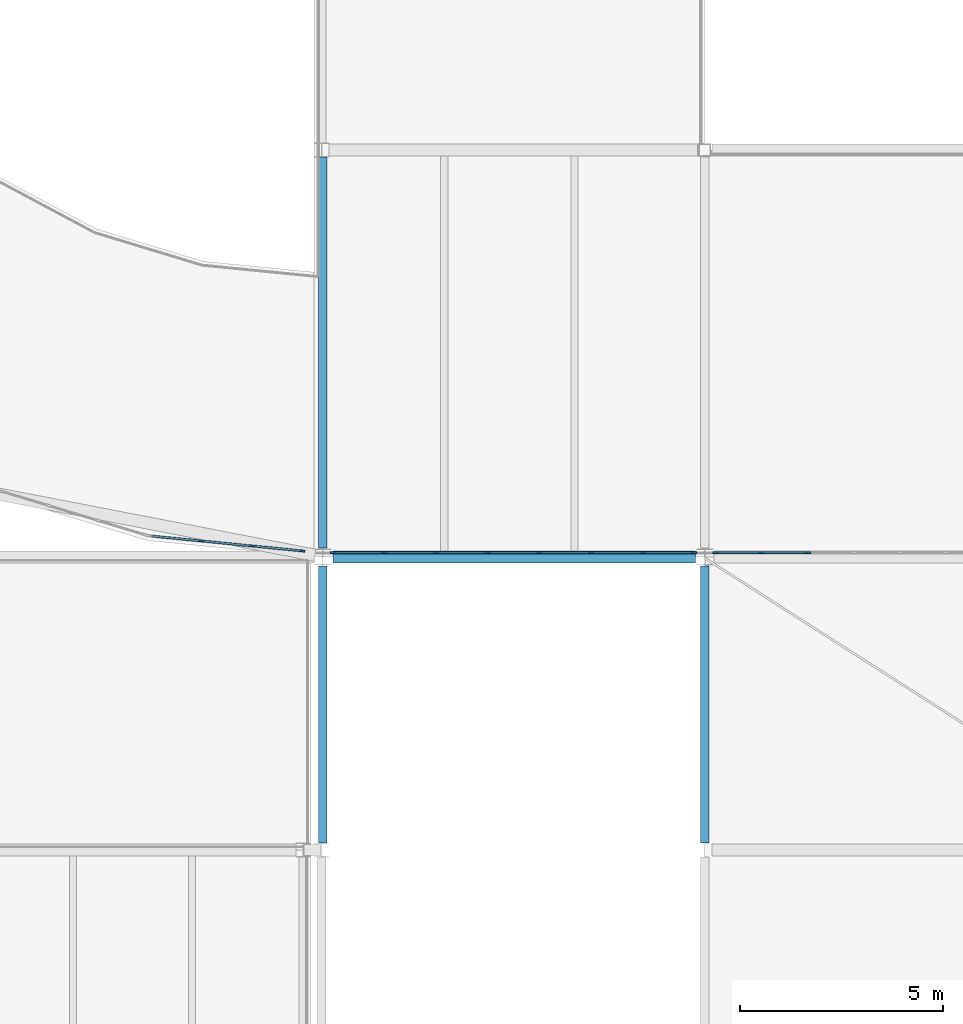
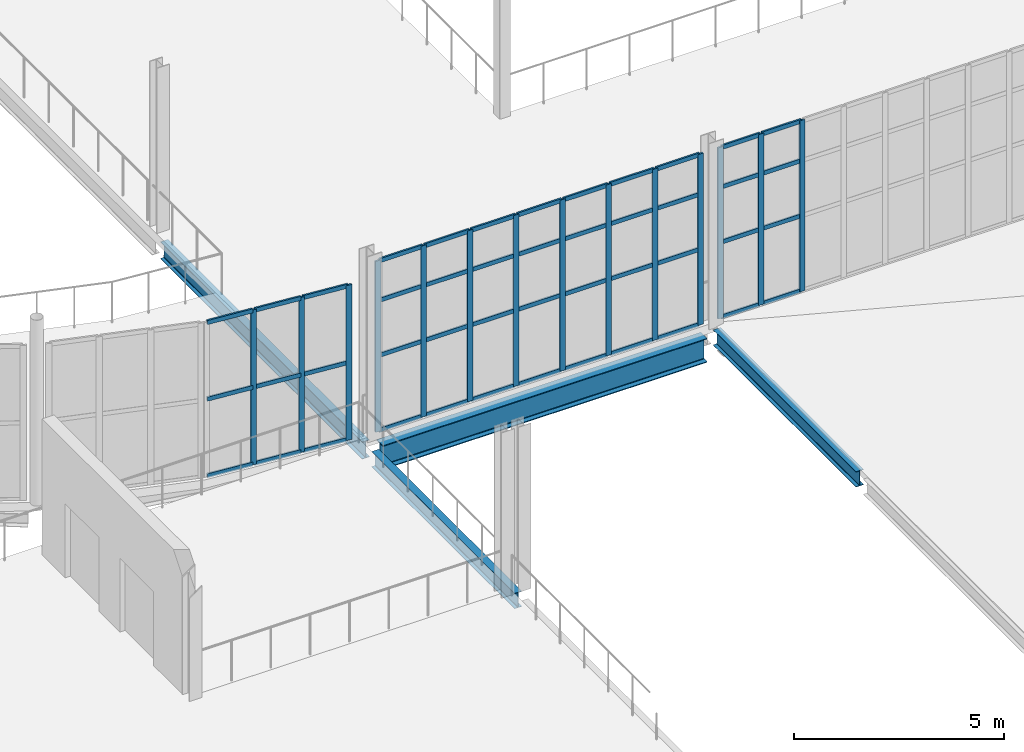
# One storey, part 28 of 112: 59 members, 4 beams, 3 elements without a shape of their own.
"""IFC4 building model written with IfcOpenShell, lengths in metres."""

from ifc_helpers import new_model, si_unit, direction, frame, origin, origin_2d, place, context, subcontext, project, spatial, rectangle, i_section, extrude, material, layer, layer_set, material_profile, profile_set, type_object, element, aggregate, save


model = new_model("IFC4")

# Units and contexts
model_context = context("Model", 3, precision=1e-05, world=origin(), true_north=direction((0.0, 1.0)))
body_context = subcontext(model_context, "Body", "Model", "MODEL_VIEW")
ifc_project = project(units=[si_unit("LENGTHUNIT", "METRE"), si_unit("AREAUNIT", "SQUARE_METRE"), si_unit("VOLUMEUNIT", "CUBIC_METRE"), si_unit("PLANEANGLEUNIT", "RADIAN"), si_unit("MASSUNIT", "GRAM", prefix="KILO")], contexts=[model_context])

# Site, building, storey
site_placement = place(None, origin())
site = spatial("IfcSite", under=ifc_project, at=site_placement, CompositionType="ELEMENT")
building_placement = place(site_placement, origin())
building = spatial("IfcBuilding", under=site, at=building_placement, Name="Yeouljin Market Hall", CompositionType="ELEMENT")
storey_placement = place(building_placement, frame((0.0, 0.0, 6.0)))
storey = spatial("IfcBuildingStorey", under=building, at=storey_placement, Name="L01", CompositionType="ELEMENT", Elevation=6.0)

# Beams
ifc_material_1 = material(Name="Steel SM355", Category="steel")
ifc_material_profile_1 = material_profile(ifc_material_1, i_section(OverallWidth=0.199951171875, OverallDepth=0.449951171875, WebThickness=0.009033203125, FlangeThickness=0.013916015625, FilletRadius=0.01806640625, at=origin_2d()), Name="H-450x200x9x14")
ifc_profile_set_1 = profile_set([ifc_material_profile_1], Name="Steel SM355")
beam_type_1 = type_object("IfcBeamType", Name="Beam_H-450x200x9x14", PredefinedType="BEAM", material=ifc_profile_set_1)
for number, where, z_axis, x_axis, name in (
    (1, (35.614990234375, 28.97509765625, -0.4951171875), (0.0, 1.0, 0.0), (-1.0, 0.0, 0.0), "Primary beam BM-L01-Y150"),
    (2, (45.0, 28.97509765625, -0.2451171875), (0.0, 1.0, 0.0), (-1.0, 0.0, 0.0), "Boulevard forecourt canopy beam BM-V5FC-Y03"),
):
    element("IfcBeam", number, at=place(storey_placement, frame(where, z_axis=z_axis, x_axis=x_axis)), inside=storey, type_object=beam_type_1, Name=name, PredefinedType="BEAM", context=body_context, shape_type="SweptSolid", body=[
        extrude(i_section(OverallWidth=0.199951171875, OverallDepth=0.449951171875, WebThickness=0.009033203125, FlangeThickness=0.013916015625, FilletRadius=0.01806640625, at=origin_2d()), origin(), (0.0, 0.0, 1.0), 6.7998046875),
    ])
ifc_material_2 = material(Name="Steel SM355", Category="steel")
ifc_material_profile_2 = material_profile(ifc_material_2, i_section(OverallWidth=0.199951171875, OverallDepth=0.5, WebThickness=0.010009765625, FlangeThickness=0.01611328125, FilletRadius=0.02001953125, at=origin_2d()), Name="H-500x200x10x16")
ifc_profile_set_2 = profile_set([ifc_material_profile_2], Name="Steel SM355")
beam_type_2 = type_object("IfcBeamType", Name="Beam_H-500x200x10x16", PredefinedType="BEAM", material=ifc_profile_set_2)
beam_1_placement = place(storey_placement, frame((35.614990234375, 36.22509765625, -0.52001953125), z_axis=(0.0, 1.0, 0.0), x_axis=(-1.0, 0.0, 0.0)))
element("IfcBeam", 3, at=beam_1_placement, inside=storey, type_object=beam_type_2, Name="Primary beam BM-L01-Y151", PredefinedType="BEAM", context=body_context, shape_type="SweptSolid", body=[
    extrude(i_section(OverallWidth=0.199951171875, OverallDepth=0.5, WebThickness=0.010009765625, FlangeThickness=0.01611328125, FilletRadius=0.02001953125, at=origin_2d()), origin(), (0.0, 0.0, 1.0), 9.599853515625),
])

# Curtain wall, members
ifc_material_3 = material(Name="Thermally Broken Aluminium", Category="aluminium")
ifc_layer_1 = layer(ifc_material_3, 0.159912109375)
ifc_layer_set_1 = layer_set([ifc_layer_1], Name="Thermally Broken Aluminium")
curtain_wall_type_1 = type_object("IfcCurtainWallType", Name="CW_HallClerestory_System", PredefinedType="USERDEFINED", material=ifc_layer_set_1)
curtain_wall_1_placement = place(storey_placement, origin())
curtain_wall_1 = element("IfcCurtainWall", 4, at=curtain_wall_1_placement, inside=storey, type_object=curtain_wall_type_1, Name="Curtain wall CW-V1S-L01-01", ObjectType="CURTAIN WALL", PredefinedType="USERDEFINED")
ifc_material_4 = material(Name="Thermally Broken Aluminium", Category="aluminium")
ifc_material_profile_3 = material_profile(ifc_material_4, rectangle(XDim=0.048095703125, YDim=0.14990234375, at=origin_2d()), Name="CW-MULL-48x150")
ifc_profile_set_3 = profile_set([ifc_material_profile_3], Name="Thermally Broken Aluminium")
member_type_1 = type_object("IfcMemberType", Name="CWMullion_48x150", PredefinedType="MULLION", material=ifc_profile_set_3)
member_1_placement = place(storey_placement, frame((44.72607421875, 36.10009765625, 0.0), z_axis=(0.0, 0.0, 1.0), x_axis=(0.0, -1.0, 0.0)))
member_1 = element("IfcMember", 5, at=member_1_placement, type_object=member_type_1, Name="CW-02 mullion 1", PredefinedType="MULLION", context=body_context, shape_type="SweptSolid", body=[
    extrude(rectangle(XDim=0.048095703125, YDim=0.14990234375, at=origin_2d()), origin(), (0.0, 0.0, 1.0), 4.969970703125),
])
member_2_placement = place(storey_placement, frame((43.478515625, 36.10009765625, 0.0), z_axis=(0.0, 0.0, 1.0), x_axis=(0.0, -1.0, 0.0)))
member_2 = element("IfcMember", 6, at=member_2_placement, type_object=member_type_1, Name="CW-02 mullion 2", PredefinedType="MULLION", context=body_context, shape_type="SweptSolid", body=[
    extrude(rectangle(XDim=0.048095703125, YDim=0.14990234375, at=origin_2d()), origin(), (0.0, 0.0, 1.0), 4.969970703125),
])
member_3_placement = place(storey_placement, frame((42.20703125, 36.10009765625, 0.0), z_axis=(0.0, 0.0, 1.0), x_axis=(0.0, -1.0, 0.0)))
member_3 = element("IfcMember", 7, at=member_3_placement, type_object=member_type_1, Name="CW-02 mullion 3", PredefinedType="MULLION", context=body_context, shape_type="SweptSolid", body=[
    extrude(rectangle(XDim=0.048095703125, YDim=0.14990234375, at=origin_2d()), origin(), (0.0, 0.0, 1.0), 4.969970703125),
])
member_4_placement = place(storey_placement, frame((40.935791015625, 36.10009765625, 0.0), z_axis=(0.0, 0.0, 1.0), x_axis=(0.0, -1.0, 0.0)))
member_4 = element("IfcMember", 8, at=member_4_placement, type_object=member_type_1, Name="CW-02 mullion 4", PredefinedType="MULLION", context=body_context, shape_type="SweptSolid", body=[
    extrude(rectangle(XDim=0.048095703125, YDim=0.14990234375, at=origin_2d()), origin(), (0.0, 0.0, 1.0), 4.969970703125),
])
member_5_placement = place(storey_placement, frame((39.664306640625, 36.10009765625, 0.0), z_axis=(0.0, 0.0, 1.0), x_axis=(0.0, -1.0, 0.0)))
member_5 = element("IfcMember", 9, at=member_5_placement, type_object=member_type_1, Name="CW-02 mullion 5", PredefinedType="MULLION", context=body_context, shape_type="SweptSolid", body=[
    extrude(rectangle(XDim=0.048095703125, YDim=0.14990234375, at=origin_2d()), origin(), (0.0, 0.0, 1.0), 4.969970703125),
])
member_6_placement = place(storey_placement, frame((38.392822265625, 36.10009765625, 0.0), z_axis=(0.0, 0.0, 1.0), x_axis=(0.0, -1.0, 0.0)))
member_6 = element("IfcMember", 10, at=member_6_placement, type_object=member_type_1, Name="CW-02 mullion 6", PredefinedType="MULLION", context=body_context, shape_type="SweptSolid", body=[
    extrude(rectangle(XDim=0.048095703125, YDim=0.14990234375, at=origin_2d()), origin(), (0.0, 0.0, 1.0), 4.969970703125),
])
member_7_placement = place(storey_placement, frame((37.121337890625, 36.10009765625, 0.0), z_axis=(0.0, 0.0, 1.0), x_axis=(0.0, -1.0, 0.0)))
member_7 = element("IfcMember", 11, at=member_7_placement, type_object=member_type_1, Name="CW-02 mullion 7", PredefinedType="MULLION", context=body_context, shape_type="SweptSolid", body=[
    extrude(rectangle(XDim=0.048095703125, YDim=0.14990234375, at=origin_2d()), origin(), (0.0, 0.0, 1.0), 4.969970703125),
])
member_8_placement = place(storey_placement, frame((35.8740234375, 36.10009765625, 0.0), z_axis=(0.0, 0.0, 1.0), x_axis=(0.0, -1.0, 0.0)))
member_8 = element("IfcMember", 12, at=member_8_placement, type_object=member_type_1, Name="CW-02 mullion 8", PredefinedType="MULLION", context=body_context, shape_type="SweptSolid", body=[
    extrude(rectangle(XDim=0.048095703125, YDim=0.14990234375, at=origin_2d()), origin(), (0.0, 0.0, 1.0), 4.969970703125),
])

curtain_wall_2_placement = place(storey_placement, origin())
curtain_wall_2 = element("IfcCurtainWall", 13, at=curtain_wall_2_placement, inside=storey, type_object=curtain_wall_type_1, Name="Curtain wall CW-V1S-L01-02", ObjectType="CURTAIN WALL", PredefinedType="USERDEFINED")
member_9_placement = place(storey_placement, frame((47.52490234375, 36.10009765625, 0.0), z_axis=(0.0, 0.0, 1.0), x_axis=(0.0, -1.0, 0.0)))
member_9 = element("IfcMember", 14, at=member_9_placement, type_object=member_type_1, Name="CW-02 mullion 7", PredefinedType="MULLION", context=body_context, shape_type="SweptSolid", body=[
    extrude(rectangle(XDim=0.048095703125, YDim=0.14990234375, at=origin_2d()), origin(), (0.0, 0.0, 1.0), 4.969970703125),
])
member_10_placement = place(storey_placement, frame((46.387451171875, 36.10009765625, 0.0), z_axis=(0.0, 0.0, 1.0), x_axis=(0.0, -1.0, 0.0)))
member_10 = element("IfcMember", 15, at=member_10_placement, type_object=member_type_1, Name="CW-02 mullion 8", PredefinedType="MULLION", context=body_context, shape_type="SweptSolid", body=[
    extrude(rectangle(XDim=0.048095703125, YDim=0.14990234375, at=origin_2d()), origin(), (0.0, 0.0, 1.0), 4.969970703125),
])
member_11_placement = place(storey_placement, frame((45.27392578125, 36.10009765625, 0.0), z_axis=(0.0, 0.0, 1.0), x_axis=(0.0, -1.0, 0.0)))
member_11 = element("IfcMember", 16, at=member_11_placement, type_object=member_type_1, Name="CW-02 mullion 9", PredefinedType="MULLION", context=body_context, shape_type="SweptSolid", body=[
    extrude(rectangle(XDim=0.048095703125, YDim=0.14990234375, at=origin_2d()), origin(), (0.0, 0.0, 1.0), 4.969970703125),
])

ifc_material_5 = material(Name="Thermally Broken Aluminium", Category="aluminium")
ifc_layer_2 = layer(ifc_material_5, 0.179931640625)
ifc_layer_set_2 = layer_set([ifc_layer_2], Name="Thermally Broken Aluminium")
curtain_wall_type_2 = type_object("IfcCurtainWallType", Name="CW_ApseCurved_System", PredefinedType="USERDEFINED", material=ifc_layer_set_2)
curtain_wall_3_placement = place(storey_placement, origin())
curtain_wall_3 = element("IfcCurtainWall", 17, at=curtain_wall_3_placement, inside=storey, type_object=curtain_wall_type_2, Name="Curtain wall CW-AP-WL01-01", ObjectType="CURTAIN WALL", PredefinedType="USERDEFINED")
member_12_placement = place(storey_placement, frame((35.097412109375, 36.149658203125, 0.0), z_axis=(0.0, 0.0, 1.0), x_axis=(-0.09803414403, -0.995183051807, 0.0)))
member_12 = element("IfcMember", 18, at=member_12_placement, type_object=member_type_1, Name="CW-03 mullion 1", PredefinedType="MULLION", context=body_context, shape_type="SweptSolid", body=[
    extrude(rectangle(XDim=0.048095703125, YDim=0.14990234375, at=origin_2d()), origin(), (0.0, 0.0, 1.0), 4.5),
])
member_13_placement = place(storey_placement, frame((33.86962890625, 36.270751953125, 0.0), z_axis=(0.0, 0.0, 1.0), x_axis=(-0.09803414403, -0.995183051807, 0.0)))
member_13 = element("IfcMember", 19, at=member_13_placement, type_object=member_type_1, Name="CW-03 mullion 2", PredefinedType="MULLION", context=body_context, shape_type="SweptSolid", body=[
    extrude(rectangle(XDim=0.048095703125, YDim=0.14990234375, at=origin_2d()), origin(), (0.0, 0.0, 1.0), 4.5),
])
member_14_placement = place(storey_placement, frame((32.617919921875, 36.39404296875, 0.0), z_axis=(0.0, 0.0, 1.0), x_axis=(-0.09803414403, -0.995183051807, 0.0)))
member_14 = element("IfcMember", 20, at=member_14_placement, type_object=member_type_1, Name="CW-03 mullion 3", PredefinedType="MULLION", context=body_context, shape_type="SweptSolid", body=[
    extrude(rectangle(XDim=0.048095703125, YDim=0.14990234375, at=origin_2d()), origin(), (0.0, 0.0, 1.0), 4.5),
])

# Member
ifc_material_6 = material(Name="Thermally Broken Aluminium", Category="aluminium")
ifc_material_profile_4 = material_profile(ifc_material_6, rectangle(XDim=0.048095703125, YDim=0.1201171875, at=origin_2d()), Name="CW-TRAN-48x120")
ifc_profile_set_4 = profile_set([ifc_material_profile_4], Name="Thermally Broken Aluminium")
member_type_2 = type_object("IfcMemberType", Name="CWTransom_48x120", PredefinedType="USERDEFINED", material=ifc_profile_set_4)
member_15_placement = place(storey_placement, frame((44.701904296875, 36.10009765625, 0.02392578125), z_axis=(-1.0, 0.0, 0.0), x_axis=(0.0, -1.0, 0.0)))
member_15 = element("IfcMember", 21, at=member_15_placement, type_object=member_type_2, Name="CW-02 transom 1.1", ObjectType="TRANSOM", PredefinedType="USERDEFINED", context=body_context, shape_type="SweptSolid", body=[
    extrude(rectangle(XDim=0.048095703125, YDim=0.1201171875, at=origin_2d()), origin(), (0.0, 0.0, 1.0), 1.19921875),
])

member_16_placement = place(storey_placement, frame((44.701904296875, 36.10009765625, 2.199951171875), z_axis=(-1.0, 0.0, 0.0), x_axis=(0.0, -1.0, 0.0)))
member_16 = element("IfcMember", 22, at=member_16_placement, type_object=member_type_2, Name="CW-02 transom 1.2", ObjectType="TRANSOM", PredefinedType="USERDEFINED", context=body_context, shape_type="SweptSolid", body=[
    extrude(rectangle(XDim=0.048095703125, YDim=0.1201171875, at=origin_2d()), origin(), (0.0, 0.0, 1.0), 1.19921875),
])

member_17_placement = place(storey_placement, frame((44.701904296875, 36.10009765625, 3.800048828125), z_axis=(-1.0, 0.0, 0.0), x_axis=(0.0, -1.0, 0.0)))
member_17 = element("IfcMember", 23, at=member_17_placement, type_object=member_type_2, Name="CW-02 transom 1.3", ObjectType="TRANSOM", PredefinedType="USERDEFINED", context=body_context, shape_type="SweptSolid", body=[
    extrude(rectangle(XDim=0.048095703125, YDim=0.1201171875, at=origin_2d()), origin(), (0.0, 0.0, 1.0), 1.19921875),
])

member_18_placement = place(storey_placement, frame((44.701904296875, 36.10009765625, 4.946044921875), z_axis=(-1.0, 0.0, 0.0), x_axis=(0.0, -1.0, 0.0)))
member_18 = element("IfcMember", 24, at=member_18_placement, type_object=member_type_2, Name="CW-02 transom 1.4", ObjectType="TRANSOM", PredefinedType="USERDEFINED", context=body_context, shape_type="SweptSolid", body=[
    extrude(rectangle(XDim=0.048095703125, YDim=0.1201171875, at=origin_2d()), origin(), (0.0, 0.0, 1.0), 1.19921875),
])

member_19_placement = place(storey_placement, frame((43.45458984375, 36.10009765625, 0.02392578125), z_axis=(-1.0, 0.0, 0.0), x_axis=(0.0, -1.0, 0.0)))
member_19 = element("IfcMember", 25, at=member_19_placement, type_object=member_type_2, Name="CW-02 transom 2.1", ObjectType="TRANSOM", PredefinedType="USERDEFINED", context=body_context, shape_type="SweptSolid", body=[
    extrude(rectangle(XDim=0.048095703125, YDim=0.1201171875, at=origin_2d()), origin(), (0.0, 0.0, 1.0), 1.223388671875),
])

member_20_placement = place(storey_placement, frame((43.45458984375, 36.10009765625, 2.199951171875), z_axis=(-1.0, 0.0, 0.0), x_axis=(0.0, -1.0, 0.0)))
member_20 = element("IfcMember", 26, at=member_20_placement, type_object=member_type_2, Name="CW-02 transom 2.2", ObjectType="TRANSOM", PredefinedType="USERDEFINED", context=body_context, shape_type="SweptSolid", body=[
    extrude(rectangle(XDim=0.048095703125, YDim=0.1201171875, at=origin_2d()), origin(), (0.0, 0.0, 1.0), 1.223388671875),
])

member_21_placement = place(storey_placement, frame((43.45458984375, 36.10009765625, 3.800048828125), z_axis=(-1.0, 0.0, 0.0), x_axis=(0.0, -1.0, 0.0)))
member_21 = element("IfcMember", 27, at=member_21_placement, type_object=member_type_2, Name="CW-02 transom 2.3", ObjectType="TRANSOM", PredefinedType="USERDEFINED", context=body_context, shape_type="SweptSolid", body=[
    extrude(rectangle(XDim=0.048095703125, YDim=0.1201171875, at=origin_2d()), origin(), (0.0, 0.0, 1.0), 1.223388671875),
])

member_22_placement = place(storey_placement, frame((43.45458984375, 36.10009765625, 4.946044921875), z_axis=(-1.0, 0.0, 0.0), x_axis=(0.0, -1.0, 0.0)))
member_22 = element("IfcMember", 28, at=member_22_placement, type_object=member_type_2, Name="CW-02 transom 2.4", ObjectType="TRANSOM", PredefinedType="USERDEFINED", context=body_context, shape_type="SweptSolid", body=[
    extrude(rectangle(XDim=0.048095703125, YDim=0.1201171875, at=origin_2d()), origin(), (0.0, 0.0, 1.0), 1.223388671875),
])

member_23_placement = place(storey_placement, frame((42.18310546875, 36.10009765625, 0.02392578125), z_axis=(-1.0, 0.0, 0.0), x_axis=(0.0, -1.0, 0.0)))
member_23 = element("IfcMember", 29, at=member_23_placement, type_object=member_type_2, Name="CW-02 transom 3.1", ObjectType="TRANSOM", PredefinedType="USERDEFINED", context=body_context, shape_type="SweptSolid", body=[
    extrude(rectangle(XDim=0.048095703125, YDim=0.1201171875, at=origin_2d()), origin(), (0.0, 0.0, 1.0), 1.223388671875),
])

member_24_placement = place(storey_placement, frame((42.18310546875, 36.10009765625, 2.199951171875), z_axis=(-1.0, 0.0, 0.0), x_axis=(0.0, -1.0, 0.0)))
member_24 = element("IfcMember", 30, at=member_24_placement, type_object=member_type_2, Name="CW-02 transom 3.2", ObjectType="TRANSOM", PredefinedType="USERDEFINED", context=body_context, shape_type="SweptSolid", body=[
    extrude(rectangle(XDim=0.048095703125, YDim=0.1201171875, at=origin_2d()), origin(), (0.0, 0.0, 1.0), 1.223388671875),
])

member_25_placement = place(storey_placement, frame((42.18310546875, 36.10009765625, 3.800048828125), z_axis=(-1.0, 0.0, 0.0), x_axis=(0.0, -1.0, 0.0)))
member_25 = element("IfcMember", 31, at=member_25_placement, type_object=member_type_2, Name="CW-02 transom 3.3", ObjectType="TRANSOM", PredefinedType="USERDEFINED", context=body_context, shape_type="SweptSolid", body=[
    extrude(rectangle(XDim=0.048095703125, YDim=0.1201171875, at=origin_2d()), origin(), (0.0, 0.0, 1.0), 1.223388671875),
])

member_26_placement = place(storey_placement, frame((42.18310546875, 36.10009765625, 4.946044921875), z_axis=(-1.0, 0.0, 0.0), x_axis=(0.0, -1.0, 0.0)))
member_26 = element("IfcMember", 32, at=member_26_placement, type_object=member_type_2, Name="CW-02 transom 3.4", ObjectType="TRANSOM", PredefinedType="USERDEFINED", context=body_context, shape_type="SweptSolid", body=[
    extrude(rectangle(XDim=0.048095703125, YDim=0.1201171875, at=origin_2d()), origin(), (0.0, 0.0, 1.0), 1.223388671875),
])

member_27_placement = place(storey_placement, frame((40.91162109375, 36.10009765625, 0.02392578125), z_axis=(-1.0, 0.0, 0.0), x_axis=(0.0, -1.0, 0.0)))
member_27 = element("IfcMember", 33, at=member_27_placement, type_object=member_type_2, Name="CW-02 transom 4.1", ObjectType="TRANSOM", PredefinedType="USERDEFINED", context=body_context, shape_type="SweptSolid", body=[
    extrude(rectangle(XDim=0.048095703125, YDim=0.1201171875, at=origin_2d()), origin(), (0.0, 0.0, 1.0), 1.223388671875),
])

member_28_placement = place(storey_placement, frame((40.91162109375, 36.10009765625, 2.199951171875), z_axis=(-1.0, 0.0, 0.0), x_axis=(0.0, -1.0, 0.0)))
member_28 = element("IfcMember", 34, at=member_28_placement, type_object=member_type_2, Name="CW-02 transom 4.2", ObjectType="TRANSOM", PredefinedType="USERDEFINED", context=body_context, shape_type="SweptSolid", body=[
    extrude(rectangle(XDim=0.048095703125, YDim=0.1201171875, at=origin_2d()), origin(), (0.0, 0.0, 1.0), 1.223388671875),
])

member_29_placement = place(storey_placement, frame((40.91162109375, 36.10009765625, 3.800048828125), z_axis=(-1.0, 0.0, 0.0), x_axis=(0.0, -1.0, 0.0)))
member_29 = element("IfcMember", 35, at=member_29_placement, type_object=member_type_2, Name="CW-02 transom 4.3", ObjectType="TRANSOM", PredefinedType="USERDEFINED", context=body_context, shape_type="SweptSolid", body=[
    extrude(rectangle(XDim=0.048095703125, YDim=0.1201171875, at=origin_2d()), origin(), (0.0, 0.0, 1.0), 1.223388671875),
])

member_30_placement = place(storey_placement, frame((40.91162109375, 36.10009765625, 4.946044921875), z_axis=(-1.0, 0.0, 0.0), x_axis=(0.0, -1.0, 0.0)))
member_30 = element("IfcMember", 36, at=member_30_placement, type_object=member_type_2, Name="CW-02 transom 4.4", ObjectType="TRANSOM", PredefinedType="USERDEFINED", context=body_context, shape_type="SweptSolid", body=[
    extrude(rectangle(XDim=0.048095703125, YDim=0.1201171875, at=origin_2d()), origin(), (0.0, 0.0, 1.0), 1.223388671875),
])

member_31_placement = place(storey_placement, frame((39.640380859375, 36.10009765625, 0.02392578125), z_axis=(-1.0, 0.0, 0.0), x_axis=(0.0, -1.0, 0.0)))
member_31 = element("IfcMember", 37, at=member_31_placement, type_object=member_type_2, Name="CW-02 transom 5.1", ObjectType="TRANSOM", PredefinedType="USERDEFINED", context=body_context, shape_type="SweptSolid", body=[
    extrude(rectangle(XDim=0.048095703125, YDim=0.1201171875, at=origin_2d()), origin(), (0.0, 0.0, 1.0), 1.2236328125),
])

member_32_placement = place(storey_placement, frame((39.640380859375, 36.10009765625, 2.199951171875), z_axis=(-1.0, 0.0, 0.0), x_axis=(0.0, -1.0, 0.0)))
member_32 = element("IfcMember", 38, at=member_32_placement, type_object=member_type_2, Name="CW-02 transom 5.2", ObjectType="TRANSOM", PredefinedType="USERDEFINED", context=body_context, shape_type="SweptSolid", body=[
    extrude(rectangle(XDim=0.048095703125, YDim=0.1201171875, at=origin_2d()), origin(), (0.0, 0.0, 1.0), 1.2236328125),
])

member_33_placement = place(storey_placement, frame((39.640380859375, 36.10009765625, 3.800048828125), z_axis=(-1.0, 0.0, 0.0), x_axis=(0.0, -1.0, 0.0)))
member_33 = element("IfcMember", 39, at=member_33_placement, type_object=member_type_2, Name="CW-02 transom 5.3", ObjectType="TRANSOM", PredefinedType="USERDEFINED", context=body_context, shape_type="SweptSolid", body=[
    extrude(rectangle(XDim=0.048095703125, YDim=0.1201171875, at=origin_2d()), origin(), (0.0, 0.0, 1.0), 1.2236328125),
])

member_34_placement = place(storey_placement, frame((39.640380859375, 36.10009765625, 4.946044921875), z_axis=(-1.0, 0.0, 0.0), x_axis=(0.0, -1.0, 0.0)))
member_34 = element("IfcMember", 40, at=member_34_placement, type_object=member_type_2, Name="CW-02 transom 5.4", ObjectType="TRANSOM", PredefinedType="USERDEFINED", context=body_context, shape_type="SweptSolid", body=[
    extrude(rectangle(XDim=0.048095703125, YDim=0.1201171875, at=origin_2d()), origin(), (0.0, 0.0, 1.0), 1.2236328125),
])

member_35_placement = place(storey_placement, frame((38.368896484375, 36.10009765625, 0.02392578125), z_axis=(-1.0, 0.0, 0.0), x_axis=(0.0, -1.0, 0.0)))
member_35 = element("IfcMember", 41, at=member_35_placement, type_object=member_type_2, Name="CW-02 transom 6.1", ObjectType="TRANSOM", PredefinedType="USERDEFINED", context=body_context, shape_type="SweptSolid", body=[
    extrude(rectangle(XDim=0.048095703125, YDim=0.1201171875, at=origin_2d()), origin(), (0.0, 0.0, 1.0), 1.223388671875),
])

member_36_placement = place(storey_placement, frame((38.368896484375, 36.10009765625, 2.199951171875), z_axis=(-1.0, 0.0, 0.0), x_axis=(0.0, -1.0, 0.0)))
member_36 = element("IfcMember", 42, at=member_36_placement, type_object=member_type_2, Name="CW-02 transom 6.2", ObjectType="TRANSOM", PredefinedType="USERDEFINED", context=body_context, shape_type="SweptSolid", body=[
    extrude(rectangle(XDim=0.048095703125, YDim=0.1201171875, at=origin_2d()), origin(), (0.0, 0.0, 1.0), 1.223388671875),
])

member_37_placement = place(storey_placement, frame((38.368896484375, 36.10009765625, 3.800048828125), z_axis=(-1.0, 0.0, 0.0), x_axis=(0.0, -1.0, 0.0)))
member_37 = element("IfcMember", 43, at=member_37_placement, type_object=member_type_2, Name="CW-02 transom 6.3", ObjectType="TRANSOM", PredefinedType="USERDEFINED", context=body_context, shape_type="SweptSolid", body=[
    extrude(rectangle(XDim=0.048095703125, YDim=0.1201171875, at=origin_2d()), origin(), (0.0, 0.0, 1.0), 1.223388671875),
])

member_38_placement = place(storey_placement, frame((38.368896484375, 36.10009765625, 4.946044921875), z_axis=(-1.0, 0.0, 0.0), x_axis=(0.0, -1.0, 0.0)))
member_38 = element("IfcMember", 44, at=member_38_placement, type_object=member_type_2, Name="CW-02 transom 6.4", ObjectType="TRANSOM", PredefinedType="USERDEFINED", context=body_context, shape_type="SweptSolid", body=[
    extrude(rectangle(XDim=0.048095703125, YDim=0.1201171875, at=origin_2d()), origin(), (0.0, 0.0, 1.0), 1.223388671875),
])

member_39_placement = place(storey_placement, frame((37.097412109375, 36.10009765625, 0.02392578125), z_axis=(-1.0, 0.0, 0.0), x_axis=(0.0, -1.0, 0.0)))
member_39 = element("IfcMember", 45, at=member_39_placement, type_object=member_type_2, Name="CW-02 transom 7.1", ObjectType="TRANSOM", PredefinedType="USERDEFINED", context=body_context, shape_type="SweptSolid", body=[
    extrude(rectangle(XDim=0.048095703125, YDim=0.1201171875, at=origin_2d()), origin(), (0.0, 0.0, 1.0), 1.199462890625),
])

member_40_placement = place(storey_placement, frame((37.097412109375, 36.10009765625, 2.199951171875), z_axis=(-1.0, 0.0, 0.0), x_axis=(0.0, -1.0, 0.0)))
member_40 = element("IfcMember", 46, at=member_40_placement, type_object=member_type_2, Name="CW-02 transom 7.2", ObjectType="TRANSOM", PredefinedType="USERDEFINED", context=body_context, shape_type="SweptSolid", body=[
    extrude(rectangle(XDim=0.048095703125, YDim=0.1201171875, at=origin_2d()), origin(), (0.0, 0.0, 1.0), 1.199462890625),
])

member_41_placement = place(storey_placement, frame((37.097412109375, 36.10009765625, 3.800048828125), z_axis=(-1.0, 0.0, 0.0), x_axis=(0.0, -1.0, 0.0)))
member_41 = element("IfcMember", 47, at=member_41_placement, type_object=member_type_2, Name="CW-02 transom 7.3", ObjectType="TRANSOM", PredefinedType="USERDEFINED", context=body_context, shape_type="SweptSolid", body=[
    extrude(rectangle(XDim=0.048095703125, YDim=0.1201171875, at=origin_2d()), origin(), (0.0, 0.0, 1.0), 1.199462890625),
])

member_42_placement = place(storey_placement, frame((37.097412109375, 36.10009765625, 4.946044921875), z_axis=(-1.0, 0.0, 0.0), x_axis=(0.0, -1.0, 0.0)))
member_42 = element("IfcMember", 48, at=member_42_placement, type_object=member_type_2, Name="CW-02 transom 7.4", ObjectType="TRANSOM", PredefinedType="USERDEFINED", context=body_context, shape_type="SweptSolid", body=[
    extrude(rectangle(XDim=0.048095703125, YDim=0.1201171875, at=origin_2d()), origin(), (0.0, 0.0, 1.0), 1.199462890625),
])

aggregate(curtain_wall_1, [member_1, member_2, member_3, member_4, member_5, member_6, member_7, member_8, member_15, member_16, member_17, member_18, member_19, member_20, member_21, member_22, member_23, member_24, member_25, member_26, member_27, member_28, member_29, member_30, member_31, member_32, member_33, member_34, member_35, member_36, member_37, member_38, member_39, member_40, member_41, member_42])

member_43_placement = place(storey_placement, frame((47.5009765625, 36.10009765625, 0.02392578125), z_axis=(-1.0, 0.0, 0.0), x_axis=(0.0, -1.0, 0.0)))
member_43 = element("IfcMember", 49, at=member_43_placement, type_object=member_type_2, Name="CW-02 transom 7.1", ObjectType="TRANSOM", PredefinedType="USERDEFINED", context=body_context, shape_type="SweptSolid", body=[
    extrude(rectangle(XDim=0.048095703125, YDim=0.1201171875, at=origin_2d()), origin(), (0.0, 0.0, 1.0), 1.08935546875),
])

member_44_placement = place(storey_placement, frame((47.5009765625, 36.10009765625, 2.199951171875), z_axis=(-1.0, 0.0, 0.0), x_axis=(0.0, -1.0, 0.0)))
member_44 = element("IfcMember", 50, at=member_44_placement, type_object=member_type_2, Name="CW-02 transom 7.2", ObjectType="TRANSOM", PredefinedType="USERDEFINED", context=body_context, shape_type="SweptSolid", body=[
    extrude(rectangle(XDim=0.048095703125, YDim=0.1201171875, at=origin_2d()), origin(), (0.0, 0.0, 1.0), 1.08935546875),
])

member_45_placement = place(storey_placement, frame((47.5009765625, 36.10009765625, 3.800048828125), z_axis=(-1.0, 0.0, 0.0), x_axis=(0.0, -1.0, 0.0)))
member_45 = element("IfcMember", 51, at=member_45_placement, type_object=member_type_2, Name="CW-02 transom 7.3", ObjectType="TRANSOM", PredefinedType="USERDEFINED", context=body_context, shape_type="SweptSolid", body=[
    extrude(rectangle(XDim=0.048095703125, YDim=0.1201171875, at=origin_2d()), origin(), (0.0, 0.0, 1.0), 1.08935546875),
])

member_46_placement = place(storey_placement, frame((47.5009765625, 36.10009765625, 4.946044921875), z_axis=(-1.0, 0.0, 0.0), x_axis=(0.0, -1.0, 0.0)))
member_46 = element("IfcMember", 52, at=member_46_placement, type_object=member_type_2, Name="CW-02 transom 7.4", ObjectType="TRANSOM", PredefinedType="USERDEFINED", context=body_context, shape_type="SweptSolid", body=[
    extrude(rectangle(XDim=0.048095703125, YDim=0.1201171875, at=origin_2d()), origin(), (0.0, 0.0, 1.0), 1.08935546875),
])

member_47_placement = place(storey_placement, frame((46.363525390625, 36.10009765625, 0.02392578125), z_axis=(-1.0, 0.0, 0.0), x_axis=(0.0, -1.0, 0.0)))
member_47 = element("IfcMember", 53, at=member_47_placement, type_object=member_type_2, Name="CW-02 transom 8.1", ObjectType="TRANSOM", PredefinedType="USERDEFINED", context=body_context, shape_type="SweptSolid", body=[
    extrude(rectangle(XDim=0.048095703125, YDim=0.1201171875, at=origin_2d()), origin(), (0.0, 0.0, 1.0), 1.0654296875),
])

member_48_placement = place(storey_placement, frame((46.363525390625, 36.10009765625, 2.199951171875), z_axis=(-1.0, 0.0, 0.0), x_axis=(0.0, -1.0, 0.0)))
member_48 = element("IfcMember", 54, at=member_48_placement, type_object=member_type_2, Name="CW-02 transom 8.2", ObjectType="TRANSOM", PredefinedType="USERDEFINED", context=body_context, shape_type="SweptSolid", body=[
    extrude(rectangle(XDim=0.048095703125, YDim=0.1201171875, at=origin_2d()), origin(), (0.0, 0.0, 1.0), 1.0654296875),
])

member_49_placement = place(storey_placement, frame((46.363525390625, 36.10009765625, 3.800048828125), z_axis=(-1.0, 0.0, 0.0), x_axis=(0.0, -1.0, 0.0)))
member_49 = element("IfcMember", 55, at=member_49_placement, type_object=member_type_2, Name="CW-02 transom 8.3", ObjectType="TRANSOM", PredefinedType="USERDEFINED", context=body_context, shape_type="SweptSolid", body=[
    extrude(rectangle(XDim=0.048095703125, YDim=0.1201171875, at=origin_2d()), origin(), (0.0, 0.0, 1.0), 1.0654296875),
])

member_50_placement = place(storey_placement, frame((46.363525390625, 36.10009765625, 4.946044921875), z_axis=(-1.0, 0.0, 0.0), x_axis=(0.0, -1.0, 0.0)))
member_50 = element("IfcMember", 56, at=member_50_placement, type_object=member_type_2, Name="CW-02 transom 8.4", ObjectType="TRANSOM", PredefinedType="USERDEFINED", context=body_context, shape_type="SweptSolid", body=[
    extrude(rectangle(XDim=0.048095703125, YDim=0.1201171875, at=origin_2d()), origin(), (0.0, 0.0, 1.0), 1.0654296875),
])

aggregate(curtain_wall_2, [member_9, member_10, member_11, member_43, member_44, member_45, member_46, member_47, member_48, member_49, member_50])

member_51_placement = place(storey_placement, frame((35.073486328125, 36.152099609375, 0.02392578125), z_axis=(-0.995184906489, 0.098015314606, 0.0), x_axis=(-0.098015314606, -0.995184906489, 0.0)))
member_51 = element("IfcMember", 57, at=member_51_placement, type_object=member_type_2, Name="CW-03 transom 1.1", ObjectType="TRANSOM", PredefinedType="USERDEFINED", context=body_context, shape_type="SweptSolid", body=[
    extrude(rectangle(XDim=0.048095703125, YDim=0.1201171875, at=origin_2d()), origin(), (0.0, 0.0, 1.0), 1.185546875),
])

member_52_placement = place(storey_placement, frame((35.073486328125, 36.152099609375, 2.25), z_axis=(-0.995184906489, 0.098015314606, 0.0), x_axis=(-0.098015314606, -0.995184906489, 0.0)))
member_52 = element("IfcMember", 58, at=member_52_placement, type_object=member_type_2, Name="CW-03 transom 1.2", ObjectType="TRANSOM", PredefinedType="USERDEFINED", context=body_context, shape_type="SweptSolid", body=[
    extrude(rectangle(XDim=0.048095703125, YDim=0.1201171875, at=origin_2d()), origin(), (0.0, 0.0, 1.0), 1.185546875),
])

member_53_placement = place(storey_placement, frame((35.073486328125, 36.152099609375, 4.47607421875), z_axis=(-0.995184906489, 0.098015314606, 0.0), x_axis=(-0.098015314606, -0.995184906489, 0.0)))
member_53 = element("IfcMember", 59, at=member_53_placement, type_object=member_type_2, Name="CW-03 transom 1.3", ObjectType="TRANSOM", PredefinedType="USERDEFINED", context=body_context, shape_type="SweptSolid", body=[
    extrude(rectangle(XDim=0.048095703125, YDim=0.1201171875, at=origin_2d()), origin(), (0.0, 0.0, 1.0), 1.185546875),
])

member_54_placement = place(storey_placement, frame((33.845703125, 36.27294921875, 0.02392578125), z_axis=(-0.995178052762, 0.098084878045, 0.0), x_axis=(-0.098084878045, -0.995178052762, 0.0)))
member_54 = element("IfcMember", 60, at=member_54_placement, type_object=member_type_2, Name="CW-03 transom 2.1", ObjectType="TRANSOM", PredefinedType="USERDEFINED", context=body_context, shape_type="SweptSolid", body=[
    extrude(rectangle(XDim=0.048095703125, YDim=0.1201171875, at=origin_2d()), origin(), (0.0, 0.0, 1.0), 1.209716796875),
])

member_55_placement = place(storey_placement, frame((33.845703125, 36.27294921875, 2.25), z_axis=(-0.995178052762, 0.098084878045, 0.0), x_axis=(-0.098084878045, -0.995178052762, 0.0)))
member_55 = element("IfcMember", 61, at=member_55_placement, type_object=member_type_2, Name="CW-03 transom 2.2", ObjectType="TRANSOM", PredefinedType="USERDEFINED", context=body_context, shape_type="SweptSolid", body=[
    extrude(rectangle(XDim=0.048095703125, YDim=0.1201171875, at=origin_2d()), origin(), (0.0, 0.0, 1.0), 1.209716796875),
])

member_56_placement = place(storey_placement, frame((33.845703125, 36.27294921875, 4.47607421875), z_axis=(-0.995178052762, 0.098084878045, 0.0), x_axis=(-0.098084878045, -0.995178052762, 0.0)))
member_56 = element("IfcMember", 62, at=member_56_placement, type_object=member_type_2, Name="CW-03 transom 2.3", ObjectType="TRANSOM", PredefinedType="USERDEFINED", context=body_context, shape_type="SweptSolid", body=[
    extrude(rectangle(XDim=0.048095703125, YDim=0.1201171875, at=origin_2d()), origin(), (0.0, 0.0, 1.0), 1.209716796875),
])

member_57_placement = place(storey_placement, frame((32.593994140625, 36.396240234375, 0.02392578125), z_axis=(-0.995164800405, 0.098219244733, 0.0), x_axis=(-0.098219244733, -0.995164800405, 0.0)))
member_57 = element("IfcMember", 63, at=member_57_placement, type_object=member_type_2, Name="CW-03 transom 3.1", ObjectType="TRANSOM", PredefinedType="USERDEFINED", context=body_context, shape_type="SweptSolid", body=[
    extrude(rectangle(XDim=0.048095703125, YDim=0.1201171875, at=origin_2d()), origin(), (0.0, 0.0, 1.0), 1.185546875),
])

member_58_placement = place(storey_placement, frame((32.593994140625, 36.396240234375, 2.25), z_axis=(-0.995164800405, 0.098219244733, 0.0), x_axis=(-0.098219244733, -0.995164800405, 0.0)))
member_58 = element("IfcMember", 64, at=member_58_placement, type_object=member_type_2, Name="CW-03 transom 3.2", ObjectType="TRANSOM", PredefinedType="USERDEFINED", context=body_context, shape_type="SweptSolid", body=[
    extrude(rectangle(XDim=0.048095703125, YDim=0.1201171875, at=origin_2d()), origin(), (0.0, 0.0, 1.0), 1.185546875),
])

member_59_placement = place(storey_placement, frame((32.593994140625, 36.396240234375, 4.47607421875), z_axis=(-0.995164800405, 0.098219244733, 0.0), x_axis=(-0.098219244733, -0.995164800405, 0.0)))
member_59 = element("IfcMember", 65, at=member_59_placement, type_object=member_type_2, Name="CW-03 transom 3.3", ObjectType="TRANSOM", PredefinedType="USERDEFINED", context=body_context, shape_type="SweptSolid", body=[
    extrude(rectangle(XDim=0.048095703125, YDim=0.1201171875, at=origin_2d()), origin(), (0.0, 0.0, 1.0), 1.185546875),
])

aggregate(curtain_wall_3, [member_12, member_13, member_14, member_51, member_52, member_53, member_54, member_55, member_56, member_57, member_58, member_59])

# Beam
ifc_material_7 = material(Name="Steel SM355", Category="steel")
ifc_material_profile_5 = material_profile(ifc_material_7, i_section(OverallWidth=0.300048828125, OverallDepth=0.699951171875, WebThickness=0.012939453125, FlangeThickness=0.02392578125, FilletRadius=0.02587890625, at=origin_2d()), Name="H-700x300x13x24")
ifc_profile_set_5 = profile_set([ifc_material_profile_5], Name="Steel SM355")
beam_type_3 = type_object("IfcBeamType", Name="Girder_H-700x300x13x24", PredefinedType="USERDEFINED", material=ifc_profile_set_5)
beam_2_placement = place(storey_placement, frame((35.864990234375, 36.0, -0.6201171875), z_axis=(1.0, 0.0, 0.0), x_axis=(0.0, 1.0, 0.0)))
element("IfcBeam", 66, at=beam_2_placement, inside=storey, type_object=beam_type_3, Name="Primary girder GRD-L01-X048", ObjectType="GIRDER", PredefinedType="USERDEFINED", context=body_context, shape_type="SweptSolid", body=[
    extrude(i_section(OverallWidth=0.300048828125, OverallDepth=0.699951171875, WebThickness=0.012939453125, FlangeThickness=0.02392578125, FilletRadius=0.02587890625, at=origin_2d()), origin(), (0.0, 0.0, 1.0), 8.909912109375),
])

save(model, "model.ifc")
